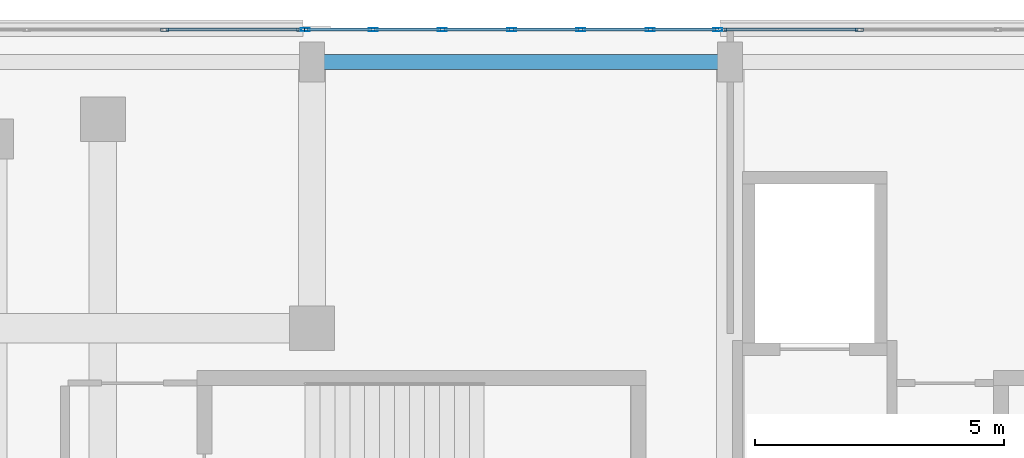
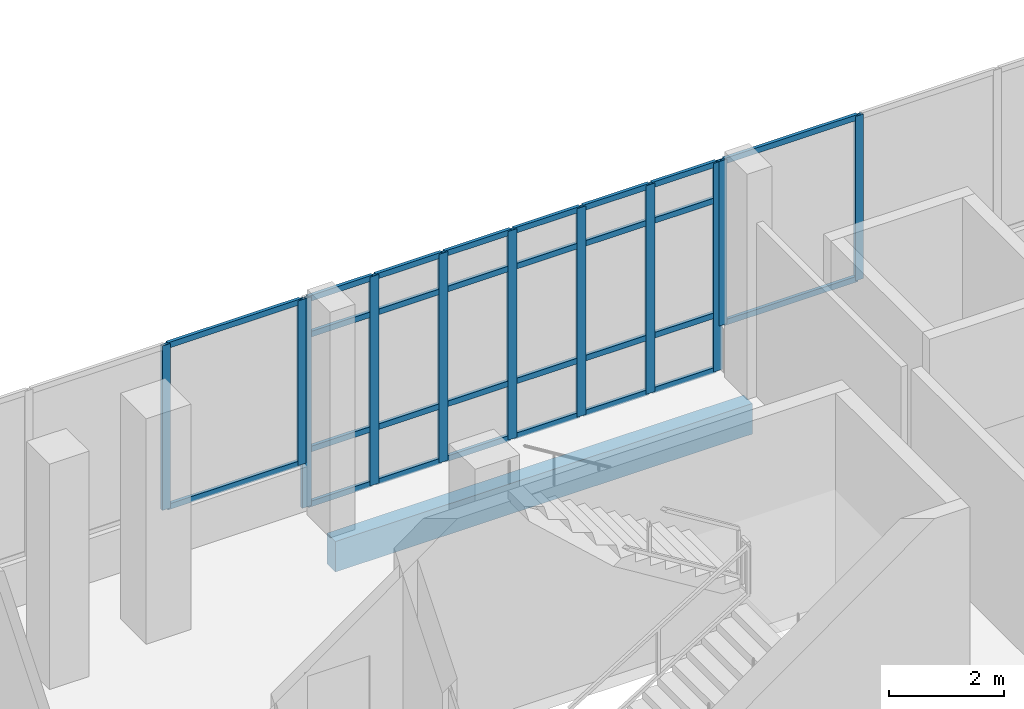
# One storey, part 95 of 168: 39 members, 1 beam, 3 elements without a shape of their own.
"""IFC4 building model written with IfcOpenShell, lengths in metres."""

from ifc_helpers import new_model, si_unit, direction, frame, origin, origin_2d, place, context, subcontext, project, spatial, rectangle, hollow_rectangle, extrude, material, material_profile, profile_set, type_object, element, aggregate, save


model = new_model("IFC4")

# Units and contexts
model_context = context("Model", 3, precision=1e-05, world=origin(), true_north=direction((0.0, 1.0)))
body_context = subcontext(model_context, "Body", "Model", "MODEL_VIEW")
ifc_project = project(units=[si_unit("LENGTHUNIT", "METRE"), si_unit("AREAUNIT", "SQUARE_METRE"), si_unit("VOLUMEUNIT", "CUBIC_METRE"), si_unit("PLANEANGLEUNIT", "RADIAN"), si_unit("MASSUNIT", "GRAM", prefix="KILO")], contexts=[model_context])

# Site, building, storey
site_placement = place(None, origin())
site = spatial("IfcSite", under=ifc_project, at=site_placement, CompositionType="ELEMENT")
building_placement = place(site_placement, origin())
building = spatial("IfcBuilding", under=site, at=building_placement, Name="Selatvlak General Hospital", CompositionType="ELEMENT")
storey_placement = place(building_placement, frame((0.0, 0.0, 5.39990234375)))
storey = spatial("IfcBuildingStorey", under=building, at=storey_placement, Name="L01", CompositionType="ELEMENT", Elevation=5.39990234375)

# Beam
ifc_material_1 = material(Name="Concrete C40/50", Category="concrete")
ifc_material_profile_1 = material_profile(ifc_material_1, rectangle(XDim=0.300048828125, YDim=0.64990234375, at=origin_2d()), Name="RC-SP 300x650")
ifc_profile_set_1 = profile_set([ifc_material_profile_1], Name="Concrete C40/50")
beam_type = type_object("IfcBeamType", Name="BM-SP1", PredefinedType="SPANDREL", material=ifc_profile_set_1)
beam_placement = place(storey_placement, frame((90.0, 119.35009765625, -0.64501953125), z_axis=(1.0, 0.0, 0.0), x_axis=(0.0, 1.0, 0.0)))
element("IfcBeam", 1, at=beam_placement, inside=storey, type_object=beam_type, Name="Beam BMR-L01-0531", PredefinedType="SPANDREL", context=body_context, shape_type="SweptSolid", body=[
    extrude(rectangle(XDim=0.300048828125, YDim=0.64990234375, at=origin_2d()), origin(), (0.0, 0.0, 1.0), 8.39990234375),
])

# Curtain wall, members
ifc_material_2 = material(Name="Solar-control Low-E double glazing", Category="glass")
curtain_wall_type_1 = type_object("IfcCurtainWallType", Name="CW-CW-01", PredefinedType="USERDEFINED", material=ifc_material_2)
curtain_wall_1_placement = place(storey_placement, origin())
curtain_wall_1 = element("IfcCurtainWall", 2, at=curtain_wall_1_placement, inside=storey, type_object=curtain_wall_type_1, Name="Glazed facade curtain wall CW-L01-0120", ObjectType="UNITISED CURTAIN WALL", PredefinedType="USERDEFINED")
ifc_material_3 = material(Name="Dark anodised aluminium mullion", Category="aluminium")
ifc_material_profile_2 = material_profile(ifc_material_3, hollow_rectangle(XDim=0.06494140625, YDim=0.159912109375, WallThickness=0.00390625, at=origin_2d()), Name="AL-MUL 65x160x4")
ifc_profile_set_2 = profile_set([ifc_material_profile_2], Name="Dark anodised aluminium mullion")
member_type_1 = type_object("IfcMemberType", Name="CWM-01", PredefinedType="MULLION", material=ifc_profile_set_2)
member_1_placement = place(storey_placement, frame((87.038330078125, 119.9990234375, 0.940185546875), z_axis=(0.0, 0.0, 1.0), x_axis=(0.0, 1.0, 0.0)))
member_1 = element("IfcMember", 3, at=member_1_placement, type_object=member_type_1, Name="CW-01 mullion 3", PredefinedType="MULLION", context=body_context, shape_type="SweptSolid", body=[
    extrude(hollow_rectangle(XDim=0.06494140625, YDim=0.159912109375, WallThickness=0.00390625, at=origin_2d()), origin(), (0.0, 0.0, 1.0), 3.5048828125),
])
member_2_placement = place(storey_placement, frame((89.7724609375, 119.9990234375, 0.940185546875), z_axis=(0.0, 0.0, 1.0), x_axis=(0.0, 1.0, 0.0)))
member_2 = element("IfcMember", 4, at=member_2_placement, type_object=member_type_1, Name="CW-01 mullion 4", PredefinedType="MULLION", context=body_context, shape_type="SweptSolid", body=[
    extrude(hollow_rectangle(XDim=0.06494140625, YDim=0.159912109375, WallThickness=0.00390625, at=origin_2d()), origin(), (0.0, 0.0, 1.0), 3.5048828125),
])

curtain_wall_2_placement = place(storey_placement, origin())
curtain_wall_2 = element("IfcCurtainWall", 5, at=curtain_wall_2_placement, inside=storey, type_object=curtain_wall_type_1, Name="Glazed facade curtain wall CW-L01-0122", ObjectType="UNITISED CURTAIN WALL", PredefinedType="USERDEFINED")
member_3_placement = place(storey_placement, frame((98.24755859375, 119.9990234375, 0.940185546875), z_axis=(0.0, 0.0, 1.0), x_axis=(-0.000119774825, 0.999999992827, 0.0)))
member_3 = element("IfcMember", 6, at=member_3_placement, type_object=member_type_1, Name="CW-01 mullion 1", PredefinedType="MULLION", context=body_context, shape_type="SweptSolid", body=[
    extrude(hollow_rectangle(XDim=0.06494140625, YDim=0.159912109375, WallThickness=0.00390625, at=origin_2d()), origin(), (0.0, 0.0, 1.0), 3.5048828125),
])
member_4_placement = place(storey_placement, frame((100.998046875, 119.999267578125, 0.940185546875), z_axis=(0.0, 0.0, 1.0), x_axis=(-0.000119774825, 0.999999992827, 0.0)))
member_4 = element("IfcMember", 7, at=member_4_placement, type_object=member_type_1, Name="CW-01 mullion 2", PredefinedType="MULLION", context=body_context, shape_type="SweptSolid", body=[
    extrude(hollow_rectangle(XDim=0.06494140625, YDim=0.159912109375, WallThickness=0.00390625, at=origin_2d()), origin(), (0.0, 0.0, 1.0), 3.5048828125),
])

curtain_wall_type_2 = type_object("IfcCurtainWallType", Name="CW-CW-04", PredefinedType="USERDEFINED", material=ifc_material_2)
curtain_wall_3_placement = place(storey_placement, origin())
curtain_wall_3 = element("IfcCurtainWall", 8, at=curtain_wall_3_placement, inside=storey, type_object=curtain_wall_type_2, Name="Glazed facade curtain wall CW-L01-0121", ObjectType="STICK GLAZING WALL", PredefinedType="USERDEFINED")
ifc_material_profile_3 = material_profile(ifc_material_3, hollow_rectangle(XDim=0.06494140625, YDim=0.179931640625, WallThickness=0.00439453125, at=origin_2d()), Name="AL-MUL 65x180x4.5")
ifc_profile_set_3 = profile_set([ifc_material_profile_3], Name="Dark anodised aluminium mullion")
member_type_2 = type_object("IfcMemberType", Name="CWM-02", PredefinedType="MULLION", material=ifc_profile_set_3)
member_5_placement = place(storey_placement, frame((89.867431640625, 119.9990234375, 0.0), z_axis=(0.0, 0.0, 1.0), x_axis=(0.0, 1.0, 0.0)))
member_5 = element("IfcMember", 9, at=member_5_placement, type_object=member_type_2, Name="CW-04 mullion 1", PredefinedType="MULLION", context=body_context, shape_type="SweptSolid", body=[
    extrude(hollow_rectangle(XDim=0.06494140625, YDim=0.179931640625, WallThickness=0.00439453125, at=origin_2d()), origin(), (0.0, 0.0, 1.0), 4.445068359375),
])
member_6_placement = place(storey_placement, frame((91.2265625, 119.9990234375, 0.0), z_axis=(0.0, 0.0, 1.0), x_axis=(0.0, 1.0, 0.0)))
member_6 = element("IfcMember", 10, at=member_6_placement, type_object=member_type_2, Name="CW-04 mullion 2", PredefinedType="MULLION", context=body_context, shape_type="SweptSolid", body=[
    extrude(hollow_rectangle(XDim=0.06494140625, YDim=0.179931640625, WallThickness=0.00439453125, at=origin_2d()), origin(), (0.0, 0.0, 1.0), 4.445068359375),
])
member_7_placement = place(storey_placement, frame((92.618408203125, 119.9990234375, 0.0), z_axis=(0.0, 0.0, 1.0), x_axis=(0.0, 1.0, 0.0)))
member_7 = element("IfcMember", 11, at=member_7_placement, type_object=member_type_2, Name="CW-04 mullion 3", PredefinedType="MULLION", context=body_context, shape_type="SweptSolid", body=[
    extrude(hollow_rectangle(XDim=0.06494140625, YDim=0.179931640625, WallThickness=0.00439453125, at=origin_2d()), origin(), (0.0, 0.0, 1.0), 4.445068359375),
])
member_8_placement = place(storey_placement, frame((94.010009765625, 119.9990234375, 0.0), z_axis=(0.0, 0.0, 1.0), x_axis=(0.0, 1.0, 0.0)))
member_8 = element("IfcMember", 12, at=member_8_placement, type_object=member_type_2, Name="CW-04 mullion 4", PredefinedType="MULLION", context=body_context, shape_type="SweptSolid", body=[
    extrude(hollow_rectangle(XDim=0.06494140625, YDim=0.179931640625, WallThickness=0.00439453125, at=origin_2d()), origin(), (0.0, 0.0, 1.0), 4.445068359375),
])
member_9_placement = place(storey_placement, frame((95.401611328125, 119.9990234375, 0.0), z_axis=(0.0, 0.0, 1.0), x_axis=(0.0, 1.0, 0.0)))
member_9 = element("IfcMember", 13, at=member_9_placement, type_object=member_type_2, Name="CW-04 mullion 5", PredefinedType="MULLION", context=body_context, shape_type="SweptSolid", body=[
    extrude(hollow_rectangle(XDim=0.06494140625, YDim=0.179931640625, WallThickness=0.00439453125, at=origin_2d()), origin(), (0.0, 0.0, 1.0), 4.445068359375),
])
member_10_placement = place(storey_placement, frame((96.793212890625, 119.9990234375, 0.0), z_axis=(0.0, 0.0, 1.0), x_axis=(0.0, 1.0, 0.0)))
member_10 = element("IfcMember", 14, at=member_10_placement, type_object=member_type_2, Name="CW-04 mullion 6", PredefinedType="MULLION", context=body_context, shape_type="SweptSolid", body=[
    extrude(hollow_rectangle(XDim=0.06494140625, YDim=0.179931640625, WallThickness=0.00439453125, at=origin_2d()), origin(), (0.0, 0.0, 1.0), 4.445068359375),
])
member_11_placement = place(storey_placement, frame((98.152587890625, 119.9990234375, 0.0), z_axis=(0.0, 0.0, 1.0), x_axis=(0.0, 1.0, 0.0)))
member_11 = element("IfcMember", 15, at=member_11_placement, type_object=member_type_2, Name="CW-04 mullion 7", PredefinedType="MULLION", context=body_context, shape_type="SweptSolid", body=[
    extrude(hollow_rectangle(XDim=0.06494140625, YDim=0.179931640625, WallThickness=0.00439453125, at=origin_2d()), origin(), (0.0, 0.0, 1.0), 4.445068359375),
])

# Member
ifc_material_profile_4 = material_profile(ifc_material_3, hollow_rectangle(XDim=0.06494140625, YDim=0.1201171875, WallThickness=0.00390625, at=origin_2d()), Name="AL-TRN 65x120x4")
ifc_profile_set_4 = profile_set([ifc_material_profile_4], Name="Dark anodised aluminium mullion")
member_type_3 = type_object("IfcMemberType", Name="CWT-01", PredefinedType="USERDEFINED", material=ifc_profile_set_4)
member_12_placement = place(storey_placement, frame((87.07080078125, 119.9990234375, 0.97265625), z_axis=(1.0, 0.0, 0.0), x_axis=(0.0, 1.0, 0.0)))
member_12 = element("IfcMember", 16, at=member_12_placement, type_object=member_type_3, Name="CW-01 transom 3.1", ObjectType="TRANSOM", PredefinedType="USERDEFINED", context=body_context, shape_type="SweptSolid", body=[
    extrude(hollow_rectangle(XDim=0.06494140625, YDim=0.1201171875, WallThickness=0.00390625, at=origin_2d()), origin(), (0.0, 0.0, 1.0), 2.669189453125),
])

member_13_placement = place(storey_placement, frame((87.07080078125, 119.9990234375, 4.41259765625), z_axis=(1.0, 0.0, 0.0), x_axis=(0.0, 1.0, 0.0)))
member_13 = element("IfcMember", 17, at=member_13_placement, type_object=member_type_3, Name="CW-01 transom 3.2", ObjectType="TRANSOM", PredefinedType="USERDEFINED", context=body_context, shape_type="SweptSolid", body=[
    extrude(hollow_rectangle(XDim=0.06494140625, YDim=0.1201171875, WallThickness=0.00390625, at=origin_2d()), origin(), (0.0, 0.0, 1.0), 2.669189453125),
])

aggregate(curtain_wall_1, [member_1, member_2, member_12, member_13])

member_14_placement = place(storey_placement, frame((89.89990234375, 119.9990234375, 0.03271484375), z_axis=(1.0, 0.0, 0.0), x_axis=(0.0, 1.0, 0.0)))
member_14 = element("IfcMember", 18, at=member_14_placement, type_object=member_type_3, Name="CW-04 transom 1.1", ObjectType="TRANSOM", PredefinedType="USERDEFINED", context=body_context, shape_type="SweptSolid", body=[
    extrude(hollow_rectangle(XDim=0.06494140625, YDim=0.1201171875, WallThickness=0.00390625, at=origin_2d()), origin(), (0.0, 0.0, 1.0), 1.294189453125),
])

member_15_placement = place(storey_placement, frame((89.89990234375, 119.9990234375, 1.2001953125), z_axis=(1.0, 0.0, 0.0), x_axis=(0.0, 1.0, 0.0)))
member_15 = element("IfcMember", 19, at=member_15_placement, type_object=member_type_3, Name="CW-04 transom 1.2", ObjectType="TRANSOM", PredefinedType="USERDEFINED", context=body_context, shape_type="SweptSolid", body=[
    extrude(hollow_rectangle(XDim=0.06494140625, YDim=0.1201171875, WallThickness=0.00390625, at=origin_2d()), origin(), (0.0, 0.0, 1.0), 1.294189453125),
])

member_16_placement = place(storey_placement, frame((89.89990234375, 119.9990234375, 3.64501953125), z_axis=(1.0, 0.0, 0.0), x_axis=(0.0, 1.0, 0.0)))
member_16 = element("IfcMember", 20, at=member_16_placement, type_object=member_type_3, Name="CW-04 transom 1.3", ObjectType="TRANSOM", PredefinedType="USERDEFINED", context=body_context, shape_type="SweptSolid", body=[
    extrude(hollow_rectangle(XDim=0.06494140625, YDim=0.1201171875, WallThickness=0.00390625, at=origin_2d()), origin(), (0.0, 0.0, 1.0), 1.294189453125),
])

member_17_placement = place(storey_placement, frame((89.89990234375, 119.9990234375, 4.41259765625), z_axis=(1.0, 0.0, 0.0), x_axis=(0.0, 1.0, 0.0)))
member_17 = element("IfcMember", 21, at=member_17_placement, type_object=member_type_3, Name="CW-04 transom 1.4", ObjectType="TRANSOM", PredefinedType="USERDEFINED", context=body_context, shape_type="SweptSolid", body=[
    extrude(hollow_rectangle(XDim=0.06494140625, YDim=0.1201171875, WallThickness=0.00390625, at=origin_2d()), origin(), (0.0, 0.0, 1.0), 1.294189453125),
])

member_18_placement = place(storey_placement, frame((91.25927734375, 119.9990234375, 0.03271484375), z_axis=(1.0, 0.0, 0.0), x_axis=(0.0, 1.0, 0.0)))
member_18 = element("IfcMember", 22, at=member_18_placement, type_object=member_type_3, Name="CW-04 transom 2.1", ObjectType="TRANSOM", PredefinedType="USERDEFINED", context=body_context, shape_type="SweptSolid", body=[
    extrude(hollow_rectangle(XDim=0.06494140625, YDim=0.1201171875, WallThickness=0.00390625, at=origin_2d()), origin(), (0.0, 0.0, 1.0), 1.32666015625),
])

member_19_placement = place(storey_placement, frame((91.25927734375, 119.9990234375, 1.2001953125), z_axis=(1.0, 0.0, 0.0), x_axis=(0.0, 1.0, 0.0)))
member_19 = element("IfcMember", 23, at=member_19_placement, type_object=member_type_3, Name="CW-04 transom 2.2", ObjectType="TRANSOM", PredefinedType="USERDEFINED", context=body_context, shape_type="SweptSolid", body=[
    extrude(hollow_rectangle(XDim=0.06494140625, YDim=0.1201171875, WallThickness=0.00390625, at=origin_2d()), origin(), (0.0, 0.0, 1.0), 1.32666015625),
])

member_20_placement = place(storey_placement, frame((91.25927734375, 119.9990234375, 3.64501953125), z_axis=(1.0, 0.0, 0.0), x_axis=(0.0, 1.0, 0.0)))
member_20 = element("IfcMember", 24, at=member_20_placement, type_object=member_type_3, Name="CW-04 transom 2.3", ObjectType="TRANSOM", PredefinedType="USERDEFINED", context=body_context, shape_type="SweptSolid", body=[
    extrude(hollow_rectangle(XDim=0.06494140625, YDim=0.1201171875, WallThickness=0.00390625, at=origin_2d()), origin(), (0.0, 0.0, 1.0), 1.32666015625),
])

member_21_placement = place(storey_placement, frame((91.25927734375, 119.9990234375, 4.41259765625), z_axis=(1.0, 0.0, 0.0), x_axis=(0.0, 1.0, 0.0)))
member_21 = element("IfcMember", 25, at=member_21_placement, type_object=member_type_3, Name="CW-04 transom 2.4", ObjectType="TRANSOM", PredefinedType="USERDEFINED", context=body_context, shape_type="SweptSolid", body=[
    extrude(hollow_rectangle(XDim=0.06494140625, YDim=0.1201171875, WallThickness=0.00390625, at=origin_2d()), origin(), (0.0, 0.0, 1.0), 1.32666015625),
])

member_22_placement = place(storey_placement, frame((92.65087890625, 119.9990234375, 0.03271484375), z_axis=(1.0, 0.0, 0.0), x_axis=(0.0, 1.0, 0.0)))
member_22 = element("IfcMember", 26, at=member_22_placement, type_object=member_type_3, Name="CW-04 transom 3.1", ObjectType="TRANSOM", PredefinedType="USERDEFINED", context=body_context, shape_type="SweptSolid", body=[
    extrude(hollow_rectangle(XDim=0.06494140625, YDim=0.1201171875, WallThickness=0.00390625, at=origin_2d()), origin(), (0.0, 0.0, 1.0), 1.32666015625),
])

member_23_placement = place(storey_placement, frame((92.65087890625, 119.9990234375, 1.2001953125), z_axis=(1.0, 0.0, 0.0), x_axis=(0.0, 1.0, 0.0)))
member_23 = element("IfcMember", 27, at=member_23_placement, type_object=member_type_3, Name="CW-04 transom 3.2", ObjectType="TRANSOM", PredefinedType="USERDEFINED", context=body_context, shape_type="SweptSolid", body=[
    extrude(hollow_rectangle(XDim=0.06494140625, YDim=0.1201171875, WallThickness=0.00390625, at=origin_2d()), origin(), (0.0, 0.0, 1.0), 1.32666015625),
])

member_24_placement = place(storey_placement, frame((92.65087890625, 119.9990234375, 3.64501953125), z_axis=(1.0, 0.0, 0.0), x_axis=(0.0, 1.0, 0.0)))
member_24 = element("IfcMember", 28, at=member_24_placement, type_object=member_type_3, Name="CW-04 transom 3.3", ObjectType="TRANSOM", PredefinedType="USERDEFINED", context=body_context, shape_type="SweptSolid", body=[
    extrude(hollow_rectangle(XDim=0.06494140625, YDim=0.1201171875, WallThickness=0.00390625, at=origin_2d()), origin(), (0.0, 0.0, 1.0), 1.32666015625),
])

member_25_placement = place(storey_placement, frame((92.65087890625, 119.9990234375, 4.41259765625), z_axis=(1.0, 0.0, 0.0), x_axis=(0.0, 1.0, 0.0)))
member_25 = element("IfcMember", 29, at=member_25_placement, type_object=member_type_3, Name="CW-04 transom 3.4", ObjectType="TRANSOM", PredefinedType="USERDEFINED", context=body_context, shape_type="SweptSolid", body=[
    extrude(hollow_rectangle(XDim=0.06494140625, YDim=0.1201171875, WallThickness=0.00390625, at=origin_2d()), origin(), (0.0, 0.0, 1.0), 1.32666015625),
])

member_26_placement = place(storey_placement, frame((94.04248046875, 119.9990234375, 0.03271484375), z_axis=(1.0, 0.0, 0.0), x_axis=(0.0, 1.0, 0.0)))
member_26 = element("IfcMember", 30, at=member_26_placement, type_object=member_type_3, Name="CW-04 transom 4.1", ObjectType="TRANSOM", PredefinedType="USERDEFINED", context=body_context, shape_type="SweptSolid", body=[
    extrude(hollow_rectangle(XDim=0.06494140625, YDim=0.1201171875, WallThickness=0.00390625, at=origin_2d()), origin(), (0.0, 0.0, 1.0), 1.32666015625),
])

member_27_placement = place(storey_placement, frame((94.04248046875, 119.9990234375, 1.2001953125), z_axis=(1.0, 0.0, 0.0), x_axis=(0.0, 1.0, 0.0)))
member_27 = element("IfcMember", 31, at=member_27_placement, type_object=member_type_3, Name="CW-04 transom 4.2", ObjectType="TRANSOM", PredefinedType="USERDEFINED", context=body_context, shape_type="SweptSolid", body=[
    extrude(hollow_rectangle(XDim=0.06494140625, YDim=0.1201171875, WallThickness=0.00390625, at=origin_2d()), origin(), (0.0, 0.0, 1.0), 1.32666015625),
])

member_28_placement = place(storey_placement, frame((94.04248046875, 119.9990234375, 3.64501953125), z_axis=(1.0, 0.0, 0.0), x_axis=(0.0, 1.0, 0.0)))
member_28 = element("IfcMember", 32, at=member_28_placement, type_object=member_type_3, Name="CW-04 transom 4.3", ObjectType="TRANSOM", PredefinedType="USERDEFINED", context=body_context, shape_type="SweptSolid", body=[
    extrude(hollow_rectangle(XDim=0.06494140625, YDim=0.1201171875, WallThickness=0.00390625, at=origin_2d()), origin(), (0.0, 0.0, 1.0), 1.32666015625),
])

member_29_placement = place(storey_placement, frame((94.04248046875, 119.9990234375, 4.41259765625), z_axis=(1.0, 0.0, 0.0), x_axis=(0.0, 1.0, 0.0)))
member_29 = element("IfcMember", 33, at=member_29_placement, type_object=member_type_3, Name="CW-04 transom 4.4", ObjectType="TRANSOM", PredefinedType="USERDEFINED", context=body_context, shape_type="SweptSolid", body=[
    extrude(hollow_rectangle(XDim=0.06494140625, YDim=0.1201171875, WallThickness=0.00390625, at=origin_2d()), origin(), (0.0, 0.0, 1.0), 1.32666015625),
])

member_30_placement = place(storey_placement, frame((95.43408203125, 119.9990234375, 0.03271484375), z_axis=(1.0, 0.0, 0.0), x_axis=(0.0, 1.0, 0.0)))
member_30 = element("IfcMember", 34, at=member_30_placement, type_object=member_type_3, Name="CW-04 transom 5.1", ObjectType="TRANSOM", PredefinedType="USERDEFINED", context=body_context, shape_type="SweptSolid", body=[
    extrude(hollow_rectangle(XDim=0.06494140625, YDim=0.1201171875, WallThickness=0.00390625, at=origin_2d()), origin(), (0.0, 0.0, 1.0), 1.32666015625),
])

member_31_placement = place(storey_placement, frame((95.43408203125, 119.9990234375, 1.2001953125), z_axis=(1.0, 0.0, 0.0), x_axis=(0.0, 1.0, 0.0)))
member_31 = element("IfcMember", 35, at=member_31_placement, type_object=member_type_3, Name="CW-04 transom 5.2", ObjectType="TRANSOM", PredefinedType="USERDEFINED", context=body_context, shape_type="SweptSolid", body=[
    extrude(hollow_rectangle(XDim=0.06494140625, YDim=0.1201171875, WallThickness=0.00390625, at=origin_2d()), origin(), (0.0, 0.0, 1.0), 1.32666015625),
])

member_32_placement = place(storey_placement, frame((95.43408203125, 119.9990234375, 3.64501953125), z_axis=(1.0, 0.0, 0.0), x_axis=(0.0, 1.0, 0.0)))
member_32 = element("IfcMember", 36, at=member_32_placement, type_object=member_type_3, Name="CW-04 transom 5.3", ObjectType="TRANSOM", PredefinedType="USERDEFINED", context=body_context, shape_type="SweptSolid", body=[
    extrude(hollow_rectangle(XDim=0.06494140625, YDim=0.1201171875, WallThickness=0.00390625, at=origin_2d()), origin(), (0.0, 0.0, 1.0), 1.32666015625),
])

member_33_placement = place(storey_placement, frame((95.43408203125, 119.9990234375, 4.41259765625), z_axis=(1.0, 0.0, 0.0), x_axis=(0.0, 1.0, 0.0)))
member_33 = element("IfcMember", 37, at=member_33_placement, type_object=member_type_3, Name="CW-04 transom 5.4", ObjectType="TRANSOM", PredefinedType="USERDEFINED", context=body_context, shape_type="SweptSolid", body=[
    extrude(hollow_rectangle(XDim=0.06494140625, YDim=0.1201171875, WallThickness=0.00390625, at=origin_2d()), origin(), (0.0, 0.0, 1.0), 1.32666015625),
])

member_34_placement = place(storey_placement, frame((96.825927734375, 119.9990234375, 0.03271484375), z_axis=(1.0, 0.0, 0.0), x_axis=(0.0, 1.0, 0.0)))
member_34 = element("IfcMember", 38, at=member_34_placement, type_object=member_type_3, Name="CW-04 transom 6.1", ObjectType="TRANSOM", PredefinedType="USERDEFINED", context=body_context, shape_type="SweptSolid", body=[
    extrude(hollow_rectangle(XDim=0.06494140625, YDim=0.1201171875, WallThickness=0.00390625, at=origin_2d()), origin(), (0.0, 0.0, 1.0), 1.294189453125),
])

member_35_placement = place(storey_placement, frame((96.825927734375, 119.9990234375, 1.2001953125), z_axis=(1.0, 0.0, 0.0), x_axis=(0.0, 1.0, 0.0)))
member_35 = element("IfcMember", 39, at=member_35_placement, type_object=member_type_3, Name="CW-04 transom 6.2", ObjectType="TRANSOM", PredefinedType="USERDEFINED", context=body_context, shape_type="SweptSolid", body=[
    extrude(hollow_rectangle(XDim=0.06494140625, YDim=0.1201171875, WallThickness=0.00390625, at=origin_2d()), origin(), (0.0, 0.0, 1.0), 1.294189453125),
])

member_36_placement = place(storey_placement, frame((96.825927734375, 119.9990234375, 3.64501953125), z_axis=(1.0, 0.0, 0.0), x_axis=(0.0, 1.0, 0.0)))
member_36 = element("IfcMember", 40, at=member_36_placement, type_object=member_type_3, Name="CW-04 transom 6.3", ObjectType="TRANSOM", PredefinedType="USERDEFINED", context=body_context, shape_type="SweptSolid", body=[
    extrude(hollow_rectangle(XDim=0.06494140625, YDim=0.1201171875, WallThickness=0.00390625, at=origin_2d()), origin(), (0.0, 0.0, 1.0), 1.294189453125),
])

member_37_placement = place(storey_placement, frame((96.825927734375, 119.9990234375, 4.41259765625), z_axis=(1.0, 0.0, 0.0), x_axis=(0.0, 1.0, 0.0)))
member_37 = element("IfcMember", 41, at=member_37_placement, type_object=member_type_3, Name="CW-04 transom 6.4", ObjectType="TRANSOM", PredefinedType="USERDEFINED", context=body_context, shape_type="SweptSolid", body=[
    extrude(hollow_rectangle(XDim=0.06494140625, YDim=0.1201171875, WallThickness=0.00390625, at=origin_2d()), origin(), (0.0, 0.0, 1.0), 1.294189453125),
])

aggregate(curtain_wall_3, [member_5, member_6, member_7, member_8, member_9, member_10, member_11, member_14, member_15, member_16, member_17, member_18, member_19, member_20, member_21, member_22, member_23, member_24, member_25, member_26, member_27, member_28, member_29, member_30, member_31, member_32, member_33, member_34, member_35, member_36, member_37])

member_38_placement = place(storey_placement, frame((98.280029296875, 119.9990234375, 0.97265625), z_axis=(0.999999995868, 9.0909091e-05, 0.0), x_axis=(-9.0909091e-05, 0.999999995868, 0.0)))
member_38 = element("IfcMember", 42, at=member_38_placement, type_object=member_type_3, Name="CW-01 transom 1.1", ObjectType="TRANSOM", PredefinedType="USERDEFINED", context=body_context, shape_type="SweptSolid", body=[
    extrude(hollow_rectangle(XDim=0.06494140625, YDim=0.1201171875, WallThickness=0.00390625, at=origin_2d()), origin(), (0.0, 0.0, 1.0), 2.685546875),
])

member_39_placement = place(storey_placement, frame((98.280029296875, 119.9990234375, 4.41259765625), z_axis=(0.999999995868, 9.0909091e-05, 0.0), x_axis=(-9.0909091e-05, 0.999999995868, 0.0)))
member_39 = element("IfcMember", 43, at=member_39_placement, type_object=member_type_3, Name="CW-01 transom 1.2", ObjectType="TRANSOM", PredefinedType="USERDEFINED", context=body_context, shape_type="SweptSolid", body=[
    extrude(hollow_rectangle(XDim=0.06494140625, YDim=0.1201171875, WallThickness=0.00390625, at=origin_2d()), origin(), (0.0, 0.0, 1.0), 2.685546875),
])

aggregate(curtain_wall_2, [member_3, member_4, member_38, member_39])

save(model, "model.ifc")
